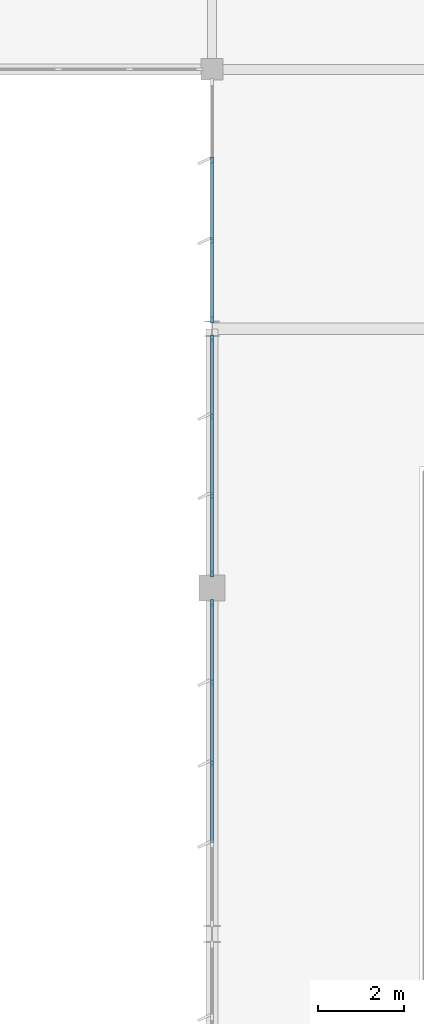
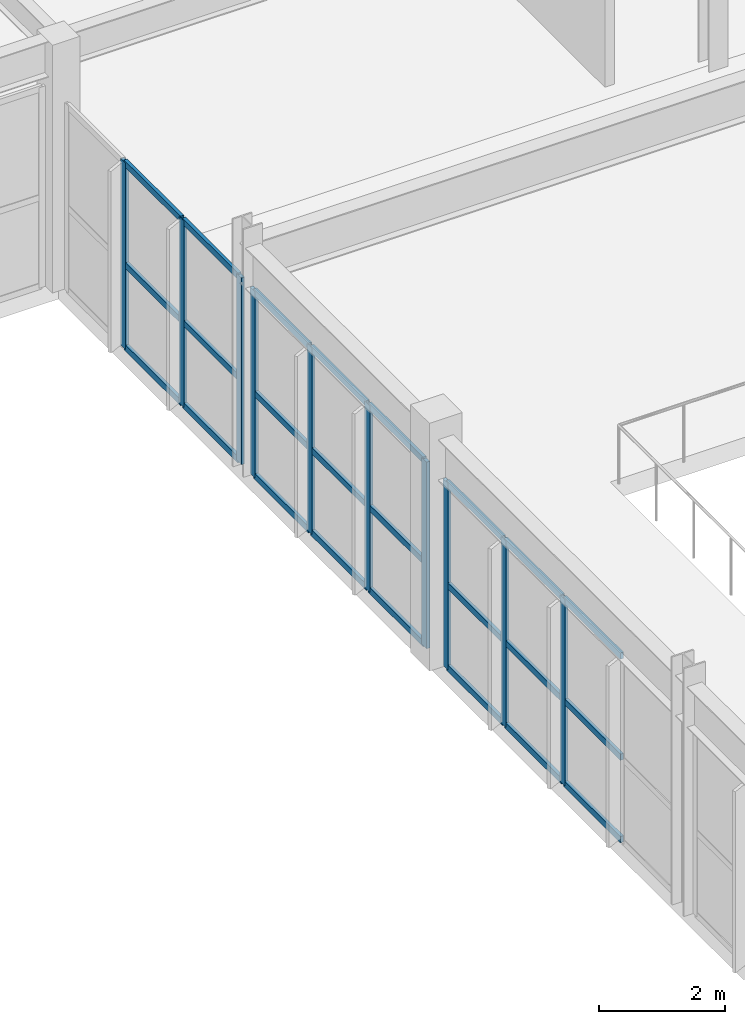
# One storey, part 76 of 186: 34 members, 3 elements without a shape of their own.
"""IFC4 building model written with IfcOpenShell, lengths in metres."""

from ifc_helpers import new_model, si_unit, direction, frame, origin, origin_2d, place, context, subcontext, project, spatial, rectangle, extrude, material, layer, layer_set, material_profile, profile_set, type_object, element, aggregate, save


model = new_model("IFC4")

# Units and contexts
model_context = context("Model", 3, precision=1e-05, world=origin(), true_north=direction((0.0, 1.0)))
body_context = subcontext(model_context, "Body", "Model", "MODEL_VIEW")
ifc_project = project(units=[si_unit("LENGTHUNIT", "METRE"), si_unit("AREAUNIT", "SQUARE_METRE"), si_unit("VOLUMEUNIT", "CUBIC_METRE"), si_unit("PLANEANGLEUNIT", "RADIAN"), si_unit("MASSUNIT", "GRAM", prefix="KILO")], contexts=[model_context])

# Site, building, storey
site_placement = place(None, origin())
site = spatial("IfcSite", under=ifc_project, at=site_placement, CompositionType="ELEMENT")
building_placement = place(site_placement, origin())
building = spatial("IfcBuilding", under=site, at=building_placement, Name="Tarnwether General Hospital", CompositionType="ELEMENT")
storey_placement = place(building_placement, frame((0.0, 0.0, 9.60009765625)))
storey = spatial("IfcBuildingStorey", under=building, at=storey_placement, Name="L02", CompositionType="ELEMENT", Elevation=9.60009765625)

# Curtain wall, members
ifc_material_1 = material(Name="Anodised aluminium", Category="aluminium")
ifc_layer = layer(ifc_material_1, 0.179931640625)
ifc_layer_set = layer_set([ifc_layer], Name="Anodised aluminium")
curtain_wall_type = type_object("IfcCurtainWallType", Name="CW-07", PredefinedType="NOTDEFINED", material=ifc_layer_set)
curtain_wall_1_placement = place(storey_placement, origin())
curtain_wall_1 = element("IfcCurtainWall", 1, at=curtain_wall_1_placement, inside=storey, type_object=curtain_wall_type, Name="Curtain Wall CWG-L02-1080_618-0423", PredefinedType="NOTDEFINED")
ifc_material_2 = material(Name="Anodised aluminium", Category="aluminium")
ifc_material_profile_1 = material_profile(ifc_material_2, rectangle(XDim=0.06005859375, YDim=0.159912109375, at=origin_2d()), Name="ALU-MUL-60x160")
ifc_profile_set_1 = profile_set([ifc_material_profile_1], Name="Anodised aluminium")
member_type_1 = type_object("IfcMemberType", Name="CW-ML1", PredefinedType="MULLION", material=ifc_profile_set_1)
member_1_placement = place(storey_placement, frame((108.0, 65.550048828125, 0.0), z_axis=(0.0, 0.0, 1.0), x_axis=(-1.0, 0.0, 0.0)))
member_1 = element("IfcMember", 2, at=member_1_placement, type_object=member_type_1, Name="CW-07 mullion 3", PredefinedType="MULLION", context=body_context, shape_type="SweptSolid", body=[
    extrude(rectangle(XDim=0.06005859375, YDim=0.159912109375, at=origin_2d()), origin(), (0.0, 0.0, 1.0), 3.614990234375),
])
member_2_placement = place(storey_placement, frame((108.0, 67.4208984375, 0.0), z_axis=(0.0, 0.0, 1.0), x_axis=(-1.0, 0.0, 0.0)))
member_2 = element("IfcMember", 3, at=member_2_placement, type_object=member_type_1, Name="CW-07 mullion 4", PredefinedType="MULLION", context=body_context, shape_type="SweptSolid", body=[
    extrude(rectangle(XDim=0.06005859375, YDim=0.159912109375, at=origin_2d()), origin(), (0.0, 0.0, 1.0), 3.614990234375),
])
member_3_placement = place(storey_placement, frame((108.0, 69.261962890625, 0.0), z_axis=(0.0, 0.0, 1.0), x_axis=(-1.0, 0.0, 0.0)))
member_3 = element("IfcMember", 4, at=member_3_placement, type_object=member_type_1, Name="CW-07 mullion 5", PredefinedType="MULLION", context=body_context, shape_type="SweptSolid", body=[
    extrude(rectangle(XDim=0.06005859375, YDim=0.159912109375, at=origin_2d()), origin(), (0.0, 0.0, 1.0), 3.614990234375),
])

curtain_wall_2_placement = place(storey_placement, origin())
curtain_wall_2 = element("IfcCurtainWall", 5, at=curtain_wall_2_placement, inside=storey, type_object=curtain_wall_type, Name="Curtain Wall CWG-L02-1080_699-0424", PredefinedType="NOTDEFINED")
member_4_placement = place(storey_placement, frame((108.0, 69.93798828125, 0.0), z_axis=(0.0, 0.0, 1.0), x_axis=(-1.0, 0.0, 0.0)))
member_4 = element("IfcMember", 6, at=member_4_placement, type_object=member_type_1, Name="CW-07 mullion 1", PredefinedType="MULLION", context=body_context, shape_type="SweptSolid", body=[
    extrude(rectangle(XDim=0.06005859375, YDim=0.159912109375, at=origin_2d()), origin(), (0.0, 0.0, 1.0), 3.614990234375),
])
member_5_placement = place(storey_placement, frame((108.0, 71.74267578125, 0.0), z_axis=(0.0, 0.0, 1.0), x_axis=(-1.0, 0.0, 0.0)))
member_5 = element("IfcMember", 7, at=member_5_placement, type_object=member_type_1, Name="CW-07 mullion 2", PredefinedType="MULLION", context=body_context, shape_type="SweptSolid", body=[
    extrude(rectangle(XDim=0.06005859375, YDim=0.159912109375, at=origin_2d()), origin(), (0.0, 0.0, 1.0), 3.614990234375),
])
member_6_placement = place(storey_placement, frame((108.0, 73.577392578125, 0.0), z_axis=(0.0, 0.0, 1.0), x_axis=(-1.0, 0.0, 0.0)))
member_6 = element("IfcMember", 8, at=member_6_placement, type_object=member_type_1, Name="CW-07 mullion 3", PredefinedType="MULLION", context=body_context, shape_type="SweptSolid", body=[
    extrude(rectangle(XDim=0.06005859375, YDim=0.159912109375, at=origin_2d()), origin(), (0.0, 0.0, 1.0), 3.614990234375),
])
member_7_placement = place(storey_placement, frame((108.0, 75.382080078125, 0.0), z_axis=(0.0, 0.0, 1.0), x_axis=(-1.0, 0.0, 0.0)))
member_7 = element("IfcMember", 9, at=member_7_placement, type_object=member_type_1, Name="CW-07 mullion 4", PredefinedType="MULLION", context=body_context, shape_type="SweptSolid", body=[
    extrude(rectangle(XDim=0.06005859375, YDim=0.159912109375, at=origin_2d()), origin(), (0.0, 0.0, 1.0), 3.614990234375),
])

curtain_wall_3_placement = place(storey_placement, origin())
curtain_wall_3 = element("IfcCurtainWall", 10, at=curtain_wall_3_placement, inside=storey, type_object=curtain_wall_type, Name="Curtain Wall CWG-L02-1080_758-0425", PredefinedType="NOTDEFINED")
member_8_placement = place(storey_placement, frame((108.0, 75.818115234375, 0.0), z_axis=(0.0, 0.0, 1.0), x_axis=(-1.0, 0.0, 0.0)))
member_8 = element("IfcMember", 11, at=member_8_placement, type_object=member_type_1, Name="CW-07 mullion 1", PredefinedType="MULLION", context=body_context, shape_type="SweptSolid", body=[
    extrude(rectangle(XDim=0.06005859375, YDim=0.159912109375, at=origin_2d()), origin(), (0.0, 0.0, 1.0), 3.614990234375),
])
member_9_placement = place(storey_placement, frame((108.0, 77.639404296875, 0.0), z_axis=(0.0, 0.0, 1.0), x_axis=(-1.0, 0.0, 0.0)))
member_9 = element("IfcMember", 12, at=member_9_placement, type_object=member_type_1, Name="CW-07 mullion 2", PredefinedType="MULLION", context=body_context, shape_type="SweptSolid", body=[
    extrude(rectangle(XDim=0.06005859375, YDim=0.159912109375, at=origin_2d()), origin(), (0.0, 0.0, 1.0), 3.614990234375),
])
member_10_placement = place(storey_placement, frame((108.0, 79.49072265625, 0.0), z_axis=(0.0, 0.0, 1.0), x_axis=(-1.0, 0.0, 0.0)))
member_10 = element("IfcMember", 13, at=member_10_placement, type_object=member_type_1, Name="CW-07 mullion 3", PredefinedType="MULLION", context=body_context, shape_type="SweptSolid", body=[
    extrude(rectangle(XDim=0.06005859375, YDim=0.159912109375, at=origin_2d()), origin(), (0.0, 0.0, 1.0), 3.614990234375),
])

# Member
ifc_material_3 = material(Name="Anodised aluminium", Category="aluminium")
ifc_material_profile_2 = material_profile(ifc_material_3, rectangle(XDim=0.06005859375, YDim=0.1201171875, at=origin_2d()), Name="ALU-TRN-60x120")
ifc_profile_set_2 = profile_set([ifc_material_profile_2], Name="Anodised aluminium")
member_type_2 = type_object("IfcMemberType", Name="CW-TR1", PredefinedType="USERDEFINED", material=ifc_profile_set_2)
member_11_placement = place(storey_placement, frame((108.0, 63.708984375, 0.02978515625), z_axis=(0.0, 1.0, 0.0), x_axis=(-1.0, 0.0, 0.0)))
member_11 = element("IfcMember", 14, at=member_11_placement, type_object=member_type_2, Name="CW-07 transom 2.1", ObjectType="TRANSOM", PredefinedType="USERDEFINED", context=body_context, shape_type="SweptSolid", body=[
    extrude(rectangle(XDim=0.06005859375, YDim=0.1201171875, at=origin_2d()), origin(), (0.0, 0.0, 1.0), 1.81103515625),
])

member_12_placement = place(storey_placement, frame((108.0, 63.708984375, 1.626708984375), z_axis=(0.0, 1.0, 0.0), x_axis=(-1.0, 0.0, 0.0)))
member_12 = element("IfcMember", 15, at=member_12_placement, type_object=member_type_2, Name="CW-07 transom 2.2", ObjectType="TRANSOM", PredefinedType="USERDEFINED", context=body_context, shape_type="SweptSolid", body=[
    extrude(rectangle(XDim=0.06005859375, YDim=0.1201171875, at=origin_2d()), origin(), (0.0, 0.0, 1.0), 1.81103515625),
])

member_13_placement = place(storey_placement, frame((108.0, 63.708984375, 3.5849609375), z_axis=(0.0, 1.0, 0.0), x_axis=(-1.0, 0.0, 0.0)))
member_13 = element("IfcMember", 16, at=member_13_placement, type_object=member_type_2, Name="CW-07 transom 2.3", ObjectType="TRANSOM", PredefinedType="USERDEFINED", context=body_context, shape_type="SweptSolid", body=[
    extrude(rectangle(XDim=0.06005859375, YDim=0.1201171875, at=origin_2d()), origin(), (0.0, 0.0, 1.0), 1.81103515625),
])

member_14_placement = place(storey_placement, frame((108.0, 65.580078125, 0.02978515625), z_axis=(0.0, 1.0, 0.0), x_axis=(-1.0, 0.0, 0.0)))
member_14 = element("IfcMember", 17, at=member_14_placement, type_object=member_type_2, Name="CW-07 transom 3.1", ObjectType="TRANSOM", PredefinedType="USERDEFINED", context=body_context, shape_type="SweptSolid", body=[
    extrude(rectangle(XDim=0.06005859375, YDim=0.1201171875, at=origin_2d()), origin(), (0.0, 0.0, 1.0), 1.81103515625),
])

member_15_placement = place(storey_placement, frame((108.0, 65.580078125, 1.626708984375), z_axis=(0.0, 1.0, 0.0), x_axis=(-1.0, 0.0, 0.0)))
member_15 = element("IfcMember", 18, at=member_15_placement, type_object=member_type_2, Name="CW-07 transom 3.2", ObjectType="TRANSOM", PredefinedType="USERDEFINED", context=body_context, shape_type="SweptSolid", body=[
    extrude(rectangle(XDim=0.06005859375, YDim=0.1201171875, at=origin_2d()), origin(), (0.0, 0.0, 1.0), 1.81103515625),
])

member_16_placement = place(storey_placement, frame((108.0, 65.580078125, 3.5849609375), z_axis=(0.0, 1.0, 0.0), x_axis=(-1.0, 0.0, 0.0)))
member_16 = element("IfcMember", 19, at=member_16_placement, type_object=member_type_2, Name="CW-07 transom 3.3", ObjectType="TRANSOM", PredefinedType="USERDEFINED", context=body_context, shape_type="SweptSolid", body=[
    extrude(rectangle(XDim=0.06005859375, YDim=0.1201171875, at=origin_2d()), origin(), (0.0, 0.0, 1.0), 1.81103515625),
])

member_17_placement = place(storey_placement, frame((108.0, 67.450927734375, 0.02978515625), z_axis=(0.0, 1.0, 0.0), x_axis=(-1.0, 0.0, 0.0)))
member_17 = element("IfcMember", 20, at=member_17_placement, type_object=member_type_2, Name="CW-07 transom 4.1", ObjectType="TRANSOM", PredefinedType="USERDEFINED", context=body_context, shape_type="SweptSolid", body=[
    extrude(rectangle(XDim=0.06005859375, YDim=0.1201171875, at=origin_2d()), origin(), (0.0, 0.0, 1.0), 1.781005859375),
])

member_18_placement = place(storey_placement, frame((108.0, 67.450927734375, 1.626708984375), z_axis=(0.0, 1.0, 0.0), x_axis=(-1.0, 0.0, 0.0)))
member_18 = element("IfcMember", 21, at=member_18_placement, type_object=member_type_2, Name="CW-07 transom 4.2", ObjectType="TRANSOM", PredefinedType="USERDEFINED", context=body_context, shape_type="SweptSolid", body=[
    extrude(rectangle(XDim=0.06005859375, YDim=0.1201171875, at=origin_2d()), origin(), (0.0, 0.0, 1.0), 1.781005859375),
])

member_19_placement = place(storey_placement, frame((108.0, 67.450927734375, 3.5849609375), z_axis=(0.0, 1.0, 0.0), x_axis=(-1.0, 0.0, 0.0)))
member_19 = element("IfcMember", 22, at=member_19_placement, type_object=member_type_2, Name="CW-07 transom 4.3", ObjectType="TRANSOM", PredefinedType="USERDEFINED", context=body_context, shape_type="SweptSolid", body=[
    extrude(rectangle(XDim=0.06005859375, YDim=0.1201171875, at=origin_2d()), origin(), (0.0, 0.0, 1.0), 1.781005859375),
])

aggregate(curtain_wall_1, [member_1, member_2, member_3, member_11, member_12, member_13, member_14, member_15, member_16, member_17, member_18, member_19])

member_20_placement = place(storey_placement, frame((108.0, 69.968017578125, 0.02978515625), z_axis=(0.0, 1.0, 0.0), x_axis=(-1.0, 0.0, 0.0)))
member_20 = element("IfcMember", 23, at=member_20_placement, type_object=member_type_2, Name="CW-07 transom 1.1", ObjectType="TRANSOM", PredefinedType="USERDEFINED", context=body_context, shape_type="SweptSolid", body=[
    extrude(rectangle(XDim=0.06005859375, YDim=0.1201171875, at=origin_2d()), origin(), (0.0, 0.0, 1.0), 1.74462890625),
])

member_21_placement = place(storey_placement, frame((108.0, 69.968017578125, 1.626708984375), z_axis=(0.0, 1.0, 0.0), x_axis=(-1.0, 0.0, 0.0)))
member_21 = element("IfcMember", 24, at=member_21_placement, type_object=member_type_2, Name="CW-07 transom 1.2", ObjectType="TRANSOM", PredefinedType="USERDEFINED", context=body_context, shape_type="SweptSolid", body=[
    extrude(rectangle(XDim=0.06005859375, YDim=0.1201171875, at=origin_2d()), origin(), (0.0, 0.0, 1.0), 1.74462890625),
])

member_22_placement = place(storey_placement, frame((108.0, 69.968017578125, 3.5849609375), z_axis=(0.0, 1.0, 0.0), x_axis=(-1.0, 0.0, 0.0)))
member_22 = element("IfcMember", 25, at=member_22_placement, type_object=member_type_2, Name="CW-07 transom 1.3", ObjectType="TRANSOM", PredefinedType="USERDEFINED", context=body_context, shape_type="SweptSolid", body=[
    extrude(rectangle(XDim=0.06005859375, YDim=0.1201171875, at=origin_2d()), origin(), (0.0, 0.0, 1.0), 1.74462890625),
])

member_23_placement = place(storey_placement, frame((108.0, 71.772705078125, 0.02978515625), z_axis=(0.0, 1.0, 0.0), x_axis=(-1.0, 0.0, 0.0)))
member_23 = element("IfcMember", 26, at=member_23_placement, type_object=member_type_2, Name="CW-07 transom 2.1", ObjectType="TRANSOM", PredefinedType="USERDEFINED", context=body_context, shape_type="SweptSolid", body=[
    extrude(rectangle(XDim=0.06005859375, YDim=0.1201171875, at=origin_2d()), origin(), (0.0, 0.0, 1.0), 1.774658203125),
])

member_24_placement = place(storey_placement, frame((108.0, 71.772705078125, 1.626708984375), z_axis=(0.0, 1.0, 0.0), x_axis=(-1.0, 0.0, 0.0)))
member_24 = element("IfcMember", 27, at=member_24_placement, type_object=member_type_2, Name="CW-07 transom 2.2", ObjectType="TRANSOM", PredefinedType="USERDEFINED", context=body_context, shape_type="SweptSolid", body=[
    extrude(rectangle(XDim=0.06005859375, YDim=0.1201171875, at=origin_2d()), origin(), (0.0, 0.0, 1.0), 1.774658203125),
])

member_25_placement = place(storey_placement, frame((108.0, 71.772705078125, 3.5849609375), z_axis=(0.0, 1.0, 0.0), x_axis=(-1.0, 0.0, 0.0)))
member_25 = element("IfcMember", 28, at=member_25_placement, type_object=member_type_2, Name="CW-07 transom 2.3", ObjectType="TRANSOM", PredefinedType="USERDEFINED", context=body_context, shape_type="SweptSolid", body=[
    extrude(rectangle(XDim=0.06005859375, YDim=0.1201171875, at=origin_2d()), origin(), (0.0, 0.0, 1.0), 1.774658203125),
])

member_26_placement = place(storey_placement, frame((108.0, 73.607421875, 0.02978515625), z_axis=(0.0, 1.0, 0.0), x_axis=(-1.0, 0.0, 0.0)))
member_26 = element("IfcMember", 29, at=member_26_placement, type_object=member_type_2, Name="CW-07 transom 3.1", ObjectType="TRANSOM", PredefinedType="USERDEFINED", context=body_context, shape_type="SweptSolid", body=[
    extrude(rectangle(XDim=0.06005859375, YDim=0.1201171875, at=origin_2d()), origin(), (0.0, 0.0, 1.0), 1.74462890625),
])

member_27_placement = place(storey_placement, frame((108.0, 73.607421875, 1.626708984375), z_axis=(0.0, 1.0, 0.0), x_axis=(-1.0, 0.0, 0.0)))
member_27 = element("IfcMember", 30, at=member_27_placement, type_object=member_type_2, Name="CW-07 transom 3.2", ObjectType="TRANSOM", PredefinedType="USERDEFINED", context=body_context, shape_type="SweptSolid", body=[
    extrude(rectangle(XDim=0.06005859375, YDim=0.1201171875, at=origin_2d()), origin(), (0.0, 0.0, 1.0), 1.74462890625),
])

member_28_placement = place(storey_placement, frame((108.0, 73.607421875, 3.5849609375), z_axis=(0.0, 1.0, 0.0), x_axis=(-1.0, 0.0, 0.0)))
member_28 = element("IfcMember", 31, at=member_28_placement, type_object=member_type_2, Name="CW-07 transom 3.3", ObjectType="TRANSOM", PredefinedType="USERDEFINED", context=body_context, shape_type="SweptSolid", body=[
    extrude(rectangle(XDim=0.06005859375, YDim=0.1201171875, at=origin_2d()), origin(), (0.0, 0.0, 1.0), 1.74462890625),
])

aggregate(curtain_wall_2, [member_4, member_5, member_6, member_7, member_20, member_21, member_22, member_23, member_24, member_25, member_26, member_27, member_28])

member_29_placement = place(storey_placement, frame((108.0, 75.847900390625, 0.02978515625), z_axis=(0.0, 1.0, 0.0), x_axis=(-1.0, 0.0, 0.0)))
member_29 = element("IfcMember", 32, at=member_29_placement, type_object=member_type_2, Name="CW-07 transom 1.1", ObjectType="TRANSOM", PredefinedType="USERDEFINED", context=body_context, shape_type="SweptSolid", body=[
    extrude(rectangle(XDim=0.06005859375, YDim=0.1201171875, at=origin_2d()), origin(), (0.0, 0.0, 1.0), 1.761474609375),
])

member_30_placement = place(storey_placement, frame((108.0, 75.847900390625, 1.626708984375), z_axis=(0.0, 1.0, 0.0), x_axis=(-1.0, 0.0, 0.0)))
member_30 = element("IfcMember", 33, at=member_30_placement, type_object=member_type_2, Name="CW-07 transom 1.2", ObjectType="TRANSOM", PredefinedType="USERDEFINED", context=body_context, shape_type="SweptSolid", body=[
    extrude(rectangle(XDim=0.06005859375, YDim=0.1201171875, at=origin_2d()), origin(), (0.0, 0.0, 1.0), 1.761474609375),
])

member_31_placement = place(storey_placement, frame((108.0, 75.847900390625, 3.5849609375), z_axis=(0.0, 1.0, 0.0), x_axis=(-1.0, 0.0, 0.0)))
member_31 = element("IfcMember", 34, at=member_31_placement, type_object=member_type_2, Name="CW-07 transom 1.3", ObjectType="TRANSOM", PredefinedType="USERDEFINED", context=body_context, shape_type="SweptSolid", body=[
    extrude(rectangle(XDim=0.06005859375, YDim=0.1201171875, at=origin_2d()), origin(), (0.0, 0.0, 1.0), 1.761474609375),
])

member_32_placement = place(storey_placement, frame((108.0, 77.66943359375, 0.02978515625), z_axis=(0.0, 1.0, 0.0), x_axis=(-1.0, 0.0, 0.0)))
member_32 = element("IfcMember", 35, at=member_32_placement, type_object=member_type_2, Name="CW-07 transom 2.1", ObjectType="TRANSOM", PredefinedType="USERDEFINED", context=body_context, shape_type="SweptSolid", body=[
    extrude(rectangle(XDim=0.06005859375, YDim=0.1201171875, at=origin_2d()), origin(), (0.0, 0.0, 1.0), 1.791259765625),
])

member_33_placement = place(storey_placement, frame((108.0, 77.66943359375, 1.626708984375), z_axis=(0.0, 1.0, 0.0), x_axis=(-1.0, 0.0, 0.0)))
member_33 = element("IfcMember", 36, at=member_33_placement, type_object=member_type_2, Name="CW-07 transom 2.2", ObjectType="TRANSOM", PredefinedType="USERDEFINED", context=body_context, shape_type="SweptSolid", body=[
    extrude(rectangle(XDim=0.06005859375, YDim=0.1201171875, at=origin_2d()), origin(), (0.0, 0.0, 1.0), 1.791259765625),
])

member_34_placement = place(storey_placement, frame((108.0, 77.66943359375, 3.5849609375), z_axis=(0.0, 1.0, 0.0), x_axis=(-1.0, 0.0, 0.0)))
member_34 = element("IfcMember", 37, at=member_34_placement, type_object=member_type_2, Name="CW-07 transom 2.3", ObjectType="TRANSOM", PredefinedType="USERDEFINED", context=body_context, shape_type="SweptSolid", body=[
    extrude(rectangle(XDim=0.06005859375, YDim=0.1201171875, at=origin_2d()), origin(), (0.0, 0.0, 1.0), 1.791259765625),
])

aggregate(curtain_wall_3, [member_8, member_9, member_10, member_29, member_30, member_31, member_32, member_33, member_34])

save(model, "model.ifc")
